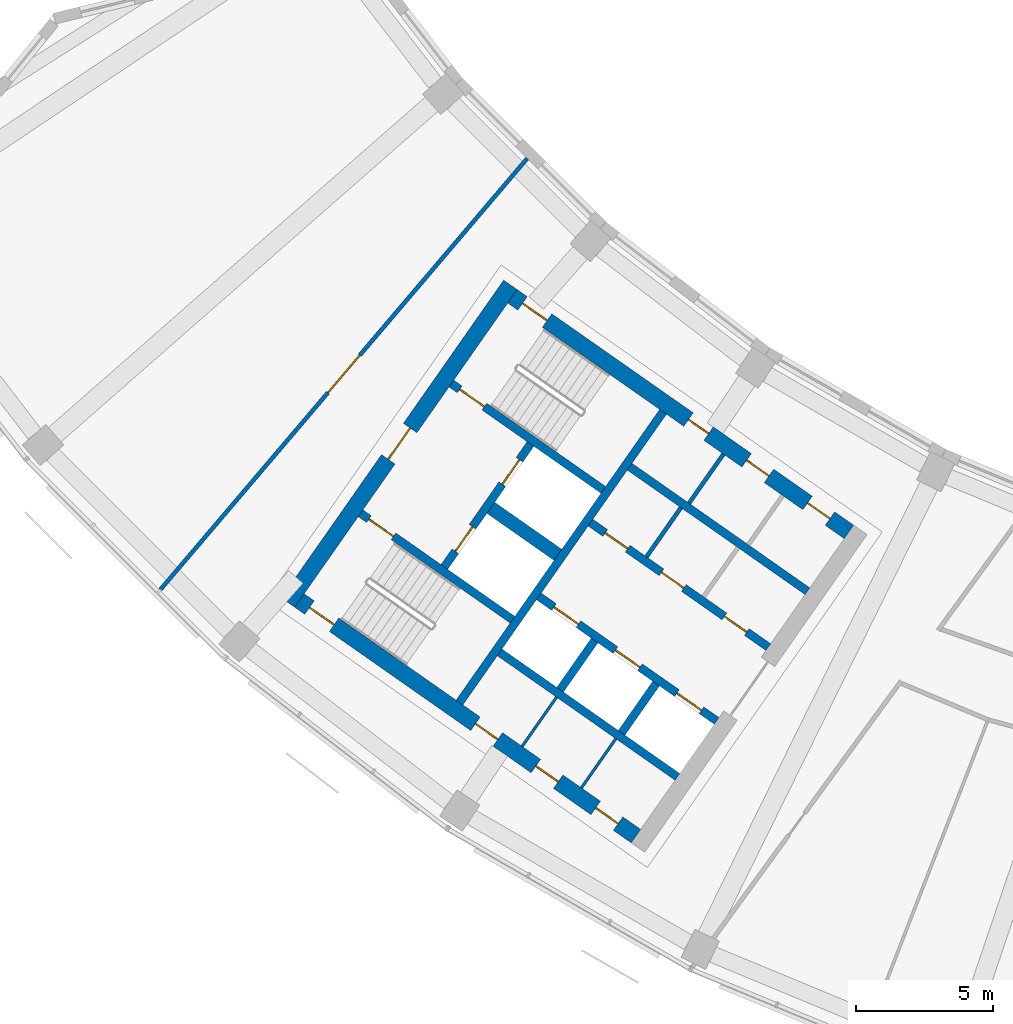
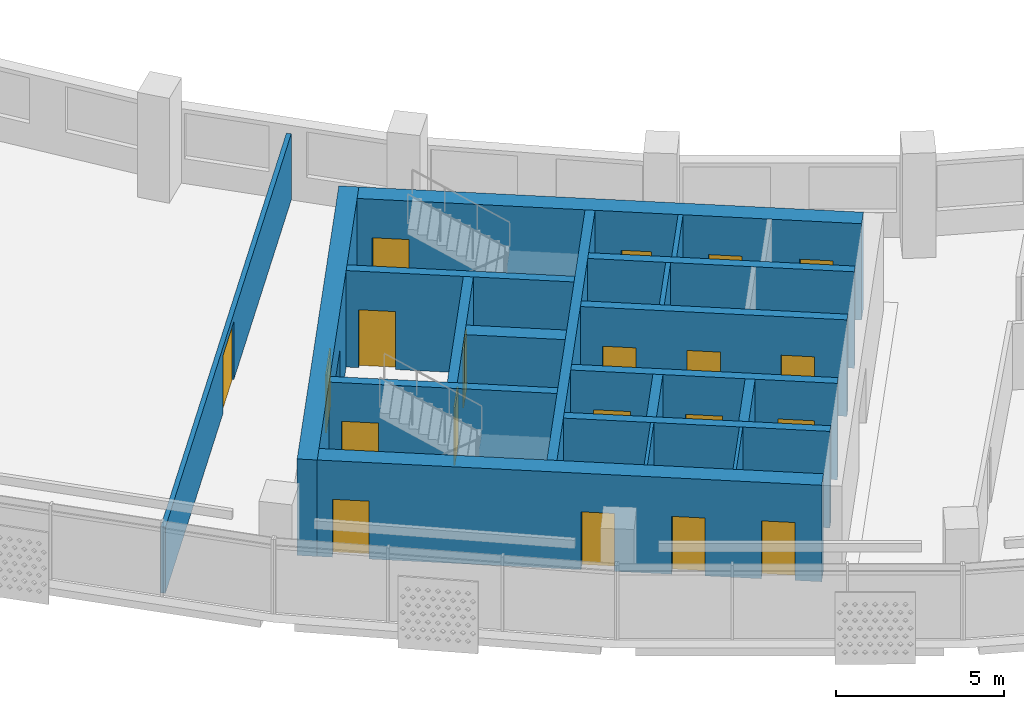
# One storey, part 3 of 29: 20 doors, 19 walls, 20 openings.
"""IFC4 building model written with IfcOpenShell, lengths in metres."""

from ifc_helpers import new_model, si_unit, direction, frame, frame_2d, origin, place, context, subcontext, project, spatial, rectangle, extrude, material, layer, layer_set, type_object, element, fill, save


model = new_model("IFC4")

# Units and contexts
model_context = context("Model", 3, precision=1e-05, world=origin(), true_north=direction((0.0, 1.0)))
body_context = subcontext(model_context, "Body", "Model", "MODEL_VIEW")
ifc_project = project(units=[si_unit("LENGTHUNIT", "METRE"), si_unit("AREAUNIT", "SQUARE_METRE"), si_unit("VOLUMEUNIT", "CUBIC_METRE"), si_unit("PLANEANGLEUNIT", "RADIAN"), si_unit("MASSUNIT", "GRAM", prefix="KILO")], contexts=[model_context])

# Site, building, storey
site_placement = place(None, origin())
site = spatial("IfcSite", under=ifc_project, at=site_placement, CompositionType="ELEMENT")
building_placement = place(site_placement, origin())
building = spatial("IfcBuilding", under=site, at=building_placement, Name="Qamariyya Broadcast Tower", CompositionType="ELEMENT")
storey_placement = place(building_placement, frame((0.0, 0.0, 207.5)))
storey = spatial("IfcBuildingStorey", under=building, at=storey_placement, Name="L49", CompositionType="ELEMENT", Elevation=207.5)

# Wall, opening, door
ifc_material_1 = material(Name="Concrete C60/75", Category="concrete")
ifc_layer_1 = layer(ifc_material_1, 0.60009765625)
ifc_layer_set_1 = layer_set([ifc_layer_1], Name="Core wall 600 mm Concrete C60/75")
wall_type_1 = type_object("IfcWallType", Name="Core wall 600 mm Concrete C60/75", PredefinedType="SHEAR", material=ifc_layer_set_1)
wall_1_placement = place(storey_placement, frame((-49.4833984375, -57.031494140625, 0.0), z_axis=(0.0, 0.0, 1.0), x_axis=(0.573560421458, 0.819163257805, 0.0)))
wall_1 = element("IfcWall", 1, at=wall_1_placement, inside=storey, type_object=wall_type_1, Name="k-W-L49-WH", PredefinedType="SHEAR", context=body_context, shape_type="SweptSolid", body=[
    extrude(rectangle(XDim=14.199951171875, YDim=0.60009765625, at=frame_2d((7.10009765625, 0.0))), origin(), (0.0, 0.0, 1.0), 3.5),
])
opening_1_placement = place(wall_1_placement, frame((6.39990234375, 0.0, 0.0)))
opening_1 = element("IfcOpeningElement", 2, at=opening_1_placement, cuts=wall_1, Name="Opening KD2-W1", PredefinedType="OPENING", context=body_context, shape_type="SweptSolid", body=[
    extrude(rectangle(XDim=1.39990234375, YDim=2.10009765625, at=frame_2d((0.699951171875, 1.050048828125))), frame((0.0, 0.31005859375, 0.0), z_axis=(0.0, -1.0, 0.0), x_axis=(1.0, 0.0, 0.0)), (0.0, 0.0, 1.0), 0.6201171875),
])
ifc_material_2 = material(Name="Steel fire-resisting door leaf", Category="steel")
door_type_1 = type_object("IfcDoorType", Name="Fire-fighting lobby door KD2", OperationType="DOUBLE_DOOR_SINGLE_SWING", PredefinedType="DOOR", material=ifc_material_2)
door_1_placement = place(opening_1_placement, origin())
door_1 = element("IfcDoor", 3, at=door_1_placement, inside=storey, type_object=door_type_1, Name="k-W-L49-WH-D16", OperationType="DOUBLE_DOOR_SINGLE_SWING", OverallHeight=2.10009765625, OverallWidth=1.39990234375, PredefinedType="DOOR", context=body_context, shape_type="SweptSolid", body=[
    extrude(rectangle(XDim=1.39990234375, YDim=2.10009765625, at=frame_2d((0.699951171875, 1.050048828125))), frame((0.0, 0.02490234375, 0.0), z_axis=(0.0, -1.0, 0.0), x_axis=(1.0, 0.0, 0.0)), (0.0, 0.0, 1.0), 0.050048828125),
])
fill(opening_1, door_1)

# Wall, openings, doors
wall_2_placement = place(storey_placement, frame((-28.940673828125, -54.447021484375, 0.0), z_axis=(0.0, 0.0, 1.0), x_axis=(-0.819153391756, 0.573574511963, 0.0)))
wall_2 = element("IfcWall", 4, at=wall_2_placement, inside=storey, type_object=wall_type_1, Name="k-W-L49-WI", PredefinedType="SHEAR", context=body_context, shape_type="SweptSolid", body=[
    extrude(rectangle(XDim=15.04541015625, YDim=0.60009765625, at=frame_2d((7.522705078125, 0.0))), origin(), (0.0, 0.0, 1.0), 3.5),
])
opening_2_placement = place(wall_2_placement, frame((0.85009765625, 0.0, 0.0)))
opening_2 = element("IfcOpeningElement", 5, at=opening_2_placement, cuts=wall_2, Name="Opening KD6-W3", PredefinedType="OPENING", context=body_context, shape_type="SweptSolid", body=[
    extrude(rectangle(XDim=1.0, YDim=2.10009765625, at=frame_2d((0.5, 1.050048828125))), frame((0.0, 0.31005859375, 0.0), z_axis=(0.0, -1.0, 0.0), x_axis=(1.0, 0.0, 0.0)), (0.0, 0.0, 1.0), 0.6201171875),
])
opening_3_placement = place(wall_2_placement, frame((3.574951171875, 0.0, 0.0)))
opening_3 = element("IfcOpeningElement", 6, at=opening_3_placement, cuts=wall_2, Name="Opening KD7-W1", PredefinedType="OPENING", context=body_context, shape_type="SweptSolid", body=[
    extrude(rectangle(XDim=1.0, YDim=2.10009765625, at=frame_2d((0.5, 1.050048828125))), frame((0.0, 0.31005859375, 0.0), z_axis=(0.0, -1.0, 0.0), x_axis=(1.0, 0.0, 0.0)), (0.0, 0.0, 1.0), 0.6201171875),
])
opening_4_placement = place(wall_2_placement, frame((6.27490234375, 0.0, 0.0)))
opening_4 = element("IfcOpeningElement", 7, at=opening_4_placement, cuts=wall_2, Name="Opening KD5-W1", PredefinedType="OPENING", context=body_context, shape_type="SweptSolid", body=[
    extrude(rectangle(XDim=0.89990234375, YDim=2.10009765625, at=frame_2d((0.449951171875, 1.050048828125))), frame((0.0, 0.31005859375, 0.0), z_axis=(0.0, -1.0, 0.0), x_axis=(1.0, 0.0, 0.0)), (0.0, 0.0, 1.0), 0.6201171875),
])
opening_5_placement = place(wall_2_placement, frame((13.495361328125, 0.0, 0.0)))
opening_5 = element("IfcOpeningElement", 8, at=opening_5_placement, cuts=wall_2, Name="Opening KD1-W1", PredefinedType="OPENING", context=body_context, shape_type="SweptSolid", body=[
    extrude(rectangle(XDim=1.10009765625, YDim=2.10009765625, at=frame_2d((0.550048828125, 1.050048828125))), frame((0.0, 0.31005859375, 0.0), z_axis=(0.0, -1.0, 0.0), x_axis=(1.0, 0.0, 0.0)), (0.0, 0.0, 1.0), 0.6201171875),
])
door_type_2 = type_object("IfcDoorType", Name="Accessible toilet door KD7", OperationType="SINGLE_SWING_LEFT", PredefinedType="DOOR", material=ifc_material_2)
door_2_placement = place(opening_3_placement, origin())
door_2 = element("IfcDoor", 9, at=door_2_placement, inside=storey, type_object=door_type_2, Name="k-W-L49-WI-D9", OperationType="SINGLE_SWING_RIGHT", OverallHeight=2.10009765625, OverallWidth=1.0, PredefinedType="DOOR", context=body_context, shape_type="SweptSolid", body=[
    extrude(rectangle(XDim=1.0, YDim=2.10009765625, at=frame_2d((0.5, 1.050048828125))), frame((0.0, 0.02490234375, 0.0), z_axis=(0.0, -1.0, 0.0), x_axis=(1.0, 0.0, 0.0)), (0.0, 0.0, 1.0), 0.050048828125),
])
fill(opening_3, door_2)
door_type_3 = type_object("IfcDoorType", Name="Core room door KD6", OperationType="SINGLE_SWING_LEFT", PredefinedType="DOOR", material=ifc_material_2)
door_3_placement = place(opening_2_placement, origin())
door_3 = element("IfcDoor", 10, at=door_3_placement, inside=storey, type_object=door_type_3, Name="k-W-L49-WI-D8", OperationType="SINGLE_SWING_LEFT", OverallHeight=2.10009765625, OverallWidth=1.0, PredefinedType="DOOR", context=body_context, shape_type="SweptSolid", body=[
    extrude(rectangle(XDim=1.0, YDim=2.10009765625, at=frame_2d((0.5, 1.050048828125))), frame((0.0, 0.02490234375, 0.0), z_axis=(0.0, -1.0, 0.0), x_axis=(1.0, 0.0, 0.0)), (0.0, 0.0, 1.0), 0.050048828125),
])
fill(opening_2, door_3)
door_type_4 = type_object("IfcDoorType", Name="Stair door KD1", OperationType="SINGLE_SWING_LEFT", PredefinedType="DOOR", material=ifc_material_2)
door_4_placement = place(opening_5_placement, origin())
door_4 = element("IfcDoor", 11, at=door_4_placement, inside=storey, type_object=door_type_4, Name="k-W-L49-WI-D17", OperationType="SINGLE_SWING_RIGHT", OverallHeight=2.10009765625, OverallWidth=1.10009765625, PredefinedType="DOOR", context=body_context, shape_type="SweptSolid", body=[
    extrude(rectangle(XDim=1.10009765625, YDim=2.10009765625, at=frame_2d((0.550048828125, 1.050048828125))), frame((0.0, 0.02490234375, 0.0), z_axis=(0.0, -1.0, 0.0), x_axis=(1.0, 0.0, 0.0)), (0.0, 0.0, 1.0), 0.050048828125),
])
fill(opening_5, door_4)
door_type_5 = type_object("IfcDoorType", Name="Toilet door KD5", OperationType="SINGLE_SWING_LEFT", PredefinedType="DOOR", material=ifc_material_2)
door_5_placement = place(opening_4_placement, origin())
door_5 = element("IfcDoor", 12, at=door_5_placement, inside=storey, type_object=door_type_5, Name="k-W-L49-WI-D10", OperationType="SINGLE_SWING_LEFT", OverallHeight=2.10009765625, OverallWidth=0.89990234375, PredefinedType="DOOR", context=body_context, shape_type="SweptSolid", body=[
    extrude(rectangle(XDim=0.89990234375, YDim=2.10009765625, at=frame_2d((0.449951171875, 1.050048828125))), frame((0.0, 0.02490234375, 0.0), z_axis=(0.0, -1.0, 0.0), x_axis=(1.0, 0.0, 0.0)), (0.0, 0.0, 1.0), 0.050048828125),
])
fill(opening_4, door_5)

wall_3_placement = place(storey_placement, frame((-36.7412109375, -65.58740234375, 0.0), z_axis=(0.0, 0.0, 1.0), x_axis=(-0.819153391756, 0.573574511963, 0.0)))
wall_3 = element("IfcWall", 13, at=wall_3_placement, inside=storey, type_object=wall_type_1, Name="k-W-L49-WO", PredefinedType="SHEAR", context=body_context, shape_type="SweptSolid", body=[
    extrude(rectangle(XDim=15.04541015625, YDim=0.60009765625, at=frame_2d((7.522705078125, 0.0))), origin(), (0.0, 0.0, 1.0), 3.5),
])
opening_6_placement = place(wall_3_placement, frame((0.800048828125, 0.0, 0.0)))
opening_6 = element("IfcOpeningElement", 14, at=opening_6_placement, cuts=wall_3, Name="Opening KD4-W2", PredefinedType="OPENING", context=body_context, shape_type="SweptSolid", body=[
    extrude(rectangle(XDim=1.0, YDim=2.10009765625, at=frame_2d((0.5, 1.050048828125))), frame((0.0, 0.31005859375, 0.0), z_axis=(0.0, -1.0, 0.0), x_axis=(1.0, 0.0, 0.0)), (0.0, 0.0, 1.0), 0.6201171875),
])
opening_7_placement = place(wall_3_placement, frame((3.47509765625, 0.0, 0.0)))
opening_7 = element("IfcOpeningElement", 15, at=opening_7_placement, cuts=wall_3, Name="Opening KD4-W3", PredefinedType="OPENING", context=body_context, shape_type="SweptSolid", body=[
    extrude(rectangle(XDim=1.0, YDim=2.10009765625, at=frame_2d((0.5, 1.050048828125))), frame((0.0, 0.31005859375, 0.0), z_axis=(0.0, -1.0, 0.0), x_axis=(1.0, 0.0, 0.0)), (0.0, 0.0, 1.0), 0.6201171875),
])
opening_8_placement = place(wall_3_placement, frame((6.175048828125, 0.0, 0.0)))
opening_8 = element("IfcOpeningElement", 16, at=opening_8_placement, cuts=wall_3, Name="Opening KD4-W4", PredefinedType="OPENING", context=body_context, shape_type="SweptSolid", body=[
    extrude(rectangle(XDim=1.0, YDim=2.10009765625, at=frame_2d((0.5, 1.050048828125))), frame((0.0, 0.31005859375, 0.0), z_axis=(0.0, -1.0, 0.0), x_axis=(1.0, 0.0, 0.0)), (0.0, 0.0, 1.0), 0.6201171875),
])
opening_9_placement = place(wall_3_placement, frame((13.495361328125, 0.0, 0.0)))
opening_9 = element("IfcOpeningElement", 17, at=opening_9_placement, cuts=wall_3, Name="Opening KD1-W3", PredefinedType="OPENING", context=body_context, shape_type="SweptSolid", body=[
    extrude(rectangle(XDim=1.10009765625, YDim=2.10009765625, at=frame_2d((0.550048828125, 1.050048828125))), frame((0.0, 0.31005859375, 0.0), z_axis=(0.0, -1.0, 0.0), x_axis=(1.0, 0.0, 0.0)), (0.0, 0.0, 1.0), 0.6201171875),
])
door_type_6 = type_object("IfcDoorType", Name="Riser and plant door KD4", OperationType="SINGLE_SWING_LEFT", PredefinedType="DOOR", material=ifc_material_2)
door_6_placement = place(opening_6_placement, origin())
door_6 = element("IfcDoor", 18, at=door_6_placement, inside=storey, type_object=door_type_6, Name="k-W-L49-WO-D11", OperationType="SINGLE_SWING_RIGHT", OverallHeight=2.10009765625, OverallWidth=1.0, PredefinedType="DOOR", context=body_context, shape_type="SweptSolid", body=[
    extrude(rectangle(XDim=1.0, YDim=2.10009765625, at=frame_2d((0.5, 1.050048828125))), frame((0.0, 0.02490234375, 0.0), z_axis=(0.0, -1.0, 0.0), x_axis=(1.0, 0.0, 0.0)), (0.0, 0.0, 1.0), 0.050048828125),
])
fill(opening_6, door_6)
door_7_placement = place(opening_7_placement, origin())
door_7 = element("IfcDoor", 19, at=door_7_placement, inside=storey, type_object=door_type_6, Name="k-W-L49-WO-D12", OperationType="SINGLE_SWING_LEFT", OverallHeight=2.10009765625, OverallWidth=1.0, PredefinedType="DOOR", context=body_context, shape_type="SweptSolid", body=[
    extrude(rectangle(XDim=1.0, YDim=2.10009765625, at=frame_2d((0.5, 1.050048828125))), frame((0.0, 0.02490234375, 0.0), z_axis=(0.0, -1.0, 0.0), x_axis=(1.0, 0.0, 0.0)), (0.0, 0.0, 1.0), 0.050048828125),
])
fill(opening_7, door_7)
door_8_placement = place(opening_8_placement, origin())
door_8 = element("IfcDoor", 20, at=door_8_placement, inside=storey, type_object=door_type_6, Name="k-W-L49-WO-D13", OperationType="SINGLE_SWING_RIGHT", OverallHeight=2.10009765625, OverallWidth=1.0, PredefinedType="DOOR", context=body_context, shape_type="SweptSolid", body=[
    extrude(rectangle(XDim=1.0, YDim=2.10009765625, at=frame_2d((0.5, 1.050048828125))), frame((0.0, 0.02490234375, 0.0), z_axis=(0.0, -1.0, 0.0), x_axis=(1.0, 0.0, 0.0)), (0.0, 0.0, 1.0), 0.050048828125),
])
fill(opening_8, door_8)
door_9_placement = place(opening_9_placement, origin())
door_9 = element("IfcDoor", 21, at=door_9_placement, inside=storey, type_object=door_type_4, Name="k-W-L49-WO-D19", OperationType="SINGLE_SWING_LEFT", OverallHeight=2.10009765625, OverallWidth=1.10009765625, PredefinedType="DOOR", context=body_context, shape_type="SweptSolid", body=[
    extrude(rectangle(XDim=1.10009765625, YDim=2.10009765625, at=frame_2d((0.550048828125, 1.050048828125))), frame((0.0, 0.02490234375, 0.0), z_axis=(0.0, -1.0, 0.0), x_axis=(1.0, 0.0, 0.0)), (0.0, 0.0, 1.0), 0.050048828125),
])
fill(opening_9, door_9)

# Wall, opening, door
ifc_material_3 = material(Name="Gypsum board partition")
ifc_layer_2 = layer(ifc_material_3, 0.14990234375)
ifc_layer_set_2 = layer_set([ifc_layer_2], Name="Corridor partition 150 EI 60")
wall_type_2 = type_object("IfcWallType", Name="Corridor partition 150 EI 60", PredefinedType="PARTITIONING", material=ifc_layer_set_2)
wall_4_placement = place(storey_placement, frame((-54.15283203125, -56.554931640625, 0.0), z_axis=(0.0, 0.0, 1.0), x_axis=(0.647962636986, 0.761672121762, 0.0)))
wall_4 = element("IfcWall", 22, at=wall_4_placement, inside=storey, type_object=wall_type_2, Name="Partition L49-001", PredefinedType="PARTITIONING", context=body_context, shape_type="SweptSolid", body=[
    extrude(rectangle(XDim=20.723388671875, YDim=0.14990234375, at=frame_2d((10.36181640625, 0.0))), origin(), (0.0, 0.0, 1.0), 2.39990234375),
])
opening_10_placement = place(wall_4_placement, frame((9.461669921875, 0.0, 0.0)))
opening_10 = element("IfcOpeningElement", 23, at=opening_10_placement, cuts=wall_4, Name="Opening L49-D14", PredefinedType="OPENING", context=body_context, shape_type="SweptSolid", body=[
    extrude(rectangle(XDim=1.800048828125, YDim=2.10009765625, at=frame_2d((0.89990234375, 1.050048828125))), frame((0.0, 0.0849609375, 0.0), z_axis=(0.0, -1.0, 0.0), x_axis=(1.0, 0.0, 0.0)), (0.0, 0.0, 1.0), 0.169921875),
])
ifc_material_4 = material(Name="Timber fire door leaf", Category="wood")
door_type_7 = type_object("IfcDoorType", Name="Double fire door 1800 x 2100 FD60", OperationType="NOTDEFINED", PredefinedType="DOOR", material=ifc_material_4)
door_10_placement = place(opening_10_placement, origin())
door_10 = element("IfcDoor", 24, at=door_10_placement, inside=storey, type_object=door_type_7, Name="Door L49-D14", OperationType="DOUBLE_DOOR_SINGLE_SWING", OverallHeight=2.10009765625, OverallWidth=1.800048828125, PredefinedType="DOOR", context=body_context, shape_type="SweptSolid", body=[
    extrude(rectangle(XDim=1.800048828125, YDim=2.10009765625, at=frame_2d((0.89990234375, 1.050048828125))), frame((0.0, 0.02490234375, 0.0), z_axis=(0.0, -1.0, 0.0), x_axis=(1.0, 0.0, 0.0)), (0.0, 0.0, 1.0), 0.050048828125),
])
fill(opening_10, door_10)

# Walls
ifc_layer_3 = layer(ifc_material_1, 0.5)
ifc_layer_set_3 = layer_set([ifc_layer_3], Name="Fire-fighting lobby divider wall 500 mm Concrete C60/75")
wall_type_3 = type_object("IfcWallType", Name="Fire-fighting lobby divider wall 500 mm Concrete C60/75", PredefinedType="SOLIDWALL", material=ifc_layer_set_3)
wall_5_placement = place(storey_placement, frame((-39.59912109375, -55.28515625, 0.0), z_axis=(0.0, 0.0, 1.0), x_axis=(-0.819136323161, 0.573598887793, 0.0)))
element("IfcWall", 25, at=wall_5_placement, inside=storey, type_object=wall_type_3, Name="k-W-L49-FD", PredefinedType="SOLIDWALL", context=body_context, shape_type="SweptSolid", body=[
    extrude(rectangle(XDim=2.999755859375, YDim=0.5, at=frame_2d((1.5, 0.0))), origin(), (0.0, 0.0, 1.0), 3.5),
])
ifc_material_5 = material(Name="Gypsum board partition on steel studs", Category="steel")
ifc_layer_4 = layer(ifc_material_5, 0.14990234375)
ifc_layer_set_4 = layer_set([ifc_layer_4], Name="Gypsum board partition 150 mm")
wall_type_4 = type_object("IfcWallType", Name="Gypsum board partition 150 mm", PredefinedType="PARTITIONING", material=ifc_layer_set_4)
wall_6_placement = place(storey_placement, frame((-36.35498046875, -55.359375, 0.0), z_axis=(0.0, 0.0, 1.0), x_axis=(0.573581496053, 0.819148501424, 0.0)))
element("IfcWall", 26, at=wall_6_placement, inside=storey, type_object=wall_type_4, Name="k-W-L49-NC555", PredefinedType="PARTITIONING", context=body_context, shape_type="SweptSolid", body=[
    extrude(rectangle(XDim=2.2001953125, YDim=0.14990234375, at=frame_2d((1.10009765625, 0.0))), origin(), (0.0, 0.0, 1.0), 3.5),
])
wall_7_placement = place(storey_placement, frame((-34.798095703125, -53.3974609375, 0.0), z_axis=(0.0, 0.0, 1.0), x_axis=(0.573633636671, 0.819111989218, 0.0)))
element("IfcWall", 27, at=wall_7_placement, inside=storey, type_object=wall_type_4, Name="k-W-L49-NP540", PredefinedType="PARTITIONING", context=body_context, shape_type="SweptSolid", body=[
    extrude(rectangle(XDim=2.199951171875, YDim=0.14990234375, at=frame_2d((1.10009765625, 0.0))), origin(), (0.0, 0.0, 1.0), 3.5),
])
ifc_layer_5 = layer(ifc_material_1, 0.300048828125)
ifc_layer_set_5 = layer_set([ifc_layer_5], Name="Lift shaft wall 300 mm Concrete C60/75")
wall_type_5 = type_object("IfcWallType", Name="Lift shaft wall 300 mm Concrete C60/75", PredefinedType="SOLIDWALL", material=ifc_layer_set_5)
wall_8_placement = place(storey_placement, frame((-43.204345703125, -60.69580078125, 0.0), z_axis=(0.0, 0.0, 1.0), x_axis=(0.573571992966, 0.819155155563, 0.0)))
element("IfcWall", 28, at=wall_8_placement, inside=storey, type_object=wall_type_5, Name="k-W-L49-WL", PredefinedType="SOLIDWALL", context=body_context, shape_type="SweptSolid", body=[
    extrude(rectangle(XDim=13.000244140625, YDim=0.300048828125, at=frame_2d((6.5, 0.0))), origin(), (0.0, 0.0, 1.0), 3.5),
])

# Wall, openings, doors
wall_9_placement = place(storey_placement, frame((-31.89453125, -58.66552734375, 0.0), z_axis=(0.0, 0.0, 1.0), x_axis=(-0.819166993208, 0.573555086491, 0.0)))
wall_9 = element("IfcWall", 29, at=wall_9_placement, inside=storey, type_object=wall_type_5, Name="k-W-L49-NF0", PredefinedType="SOLIDWALL", context=body_context, shape_type="SweptSolid", body=[
    extrude(rectangle(XDim=7.9501953125, YDim=0.300048828125, at=frame_2d((3.97509765625, 0.0))), origin(), (0.0, 0.0, 1.0), 3.5),
])
opening_11_placement = place(wall_9_placement, frame((0.96240234375, 0.0, 0.0)))
opening_11 = element("IfcOpeningElement", 30, at=opening_11_placement, cuts=wall_9, Name="Opening KD4-W1", PredefinedType="OPENING", context=body_context, shape_type="SweptSolid", body=[
    extrude(rectangle(XDim=1.0, YDim=2.10009765625, at=frame_2d((0.5, 1.050048828125))), frame((0.0, 0.159912109375, 0.0), z_axis=(0.0, -1.0, 0.0), x_axis=(1.0, 0.0, 0.0)), (0.0, 0.0, 1.0), 0.320068359375),
])
opening_12_placement = place(wall_9_placement, frame((3.77490234375, 0.0, 0.0)))
opening_12 = element("IfcOpeningElement", 31, at=opening_12_placement, cuts=wall_9, Name="Opening KD6-W1", PredefinedType="OPENING", context=body_context, shape_type="SweptSolid", body=[
    extrude(rectangle(XDim=1.0, YDim=2.10009765625, at=frame_2d((0.5, 1.050048828125))), frame((0.0, 0.159912109375, 0.0), z_axis=(0.0, -1.0, 0.0), x_axis=(1.0, 0.0, 0.0)), (0.0, 0.0, 1.0), 0.320068359375),
])
opening_13_placement = place(wall_9_placement, frame((6.28759765625, 0.0, 0.0)))
opening_13 = element("IfcOpeningElement", 32, at=opening_13_placement, cuts=wall_9, Name="Opening KD6-W2", PredefinedType="OPENING", context=body_context, shape_type="SweptSolid", body=[
    extrude(rectangle(XDim=1.0, YDim=2.10009765625, at=frame_2d((0.5, 1.050048828125))), frame((0.0, 0.159912109375, 0.0), z_axis=(0.0, -1.0, 0.0), x_axis=(1.0, 0.0, 0.0)), (0.0, 0.0, 1.0), 0.320068359375),
])
door_11_placement = place(opening_12_placement, origin())
door_11 = element("IfcDoor", 33, at=door_11_placement, inside=storey, type_object=door_type_3, Name="k-W-L49-NF0-D3", OperationType="SINGLE_SWING_RIGHT", OverallHeight=2.10009765625, OverallWidth=1.0, PredefinedType="DOOR", context=body_context, shape_type="SweptSolid", body=[
    extrude(rectangle(XDim=1.0, YDim=2.10009765625, at=frame_2d((0.5, 1.050048828125))), frame((0.0, 0.02490234375, 0.0), z_axis=(0.0, -1.0, 0.0), x_axis=(1.0, 0.0, 0.0)), (0.0, 0.0, 1.0), 0.050048828125),
])
fill(opening_12, door_11)
door_12_placement = place(opening_13_placement, origin())
door_12 = element("IfcDoor", 34, at=door_12_placement, inside=storey, type_object=door_type_3, Name="k-W-L49-NF0-D4", OperationType="SINGLE_SWING_LEFT", OverallHeight=2.10009765625, OverallWidth=1.0, PredefinedType="DOOR", context=body_context, shape_type="SweptSolid", body=[
    extrude(rectangle(XDim=1.0, YDim=2.10009765625, at=frame_2d((0.5, 1.050048828125))), frame((0.0, 0.02490234375, 0.0), z_axis=(0.0, -1.0, 0.0), x_axis=(1.0, 0.0, 0.0)), (0.0, 0.0, 1.0), 0.050048828125),
])
fill(opening_13, door_12)
door_13_placement = place(opening_11_placement, origin())
door_13 = element("IfcDoor", 35, at=door_13_placement, inside=storey, type_object=door_type_6, Name="k-W-L49-NF0-D2", OperationType="SINGLE_SWING_LEFT", OverallHeight=2.10009765625, OverallWidth=1.0, PredefinedType="DOOR", context=body_context, shape_type="SweptSolid", body=[
    extrude(rectangle(XDim=1.0, YDim=2.10009765625, at=frame_2d((0.5, 1.050048828125))), frame((0.0, 0.02490234375, 0.0), z_axis=(0.0, -1.0, 0.0), x_axis=(1.0, 0.0, 0.0)), (0.0, 0.0, 1.0), 0.050048828125),
])
fill(opening_11, door_13)

# Wall
wall_10_placement = place(storey_placement, frame((-30.460693359375, -56.61767578125, 0.0), z_axis=(0.0, 0.0, 1.0), x_axis=(-0.819142461705, 0.573590121456, 0.0)))
element("IfcWall", 36, at=wall_10_placement, inside=storey, type_object=wall_type_5, Name="k-W-L49-NB0", PredefinedType="SOLIDWALL", context=body_context, shape_type="SweptSolid", body=[
    extrude(rectangle(XDim=7.949951171875, YDim=0.300048828125, at=frame_2d((3.97509765625, 0.0))), origin(), (0.0, 0.0, 1.0), 3.5),
])

# Wall, openings, doors
wall_11_placement = place(storey_placement, frame((-33.787353515625, -61.368896484375, 0.0), z_axis=(0.0, 0.0, 1.0), x_axis=(-0.819152564888, 0.573575692858, 0.0)))
wall_11 = element("IfcWall", 37, at=wall_11_placement, inside=storey, type_object=wall_type_5, Name="k-W-L49-SF0", PredefinedType="SOLIDWALL", context=body_context, shape_type="SweptSolid", body=[
    extrude(rectangle(XDim=7.9501953125, YDim=0.300048828125, at=frame_2d((3.97509765625, 0.0))), origin(), (0.0, 0.0, 1.0), 3.5),
])
opening_14_placement = place(wall_11_placement, frame((0.675048828125, 0.0, 0.0)))
opening_14 = element("IfcOpeningElement", 38, at=opening_14_placement, cuts=wall_11, Name="Opening LD", PredefinedType="OPENING", context=body_context, shape_type="SweptSolid", body=[
    extrude(rectangle(XDim=1.10009765625, YDim=2.10009765625, at=frame_2d((0.550048828125, 1.050048828125))), frame((0.0, 0.159912109375, 0.0), z_axis=(0.0, -1.0, 0.0), x_axis=(1.0, 0.0, 0.0)), (0.0, 0.0, 1.0), 0.320068359375),
])
opening_15_placement = place(wall_11_placement, frame((3.425048828125, 0.0, 0.0)))
opening_15 = element("IfcOpeningElement", 39, at=opening_15_placement, cuts=wall_11, Name="Opening LD", PredefinedType="OPENING", context=body_context, shape_type="SweptSolid", body=[
    extrude(rectangle(XDim=1.10009765625, YDim=2.10009765625, at=frame_2d((0.550048828125, 1.050048828125))), frame((0.0, 0.159912109375, 0.0), z_axis=(0.0, -1.0, 0.0), x_axis=(1.0, 0.0, 0.0)), (0.0, 0.0, 1.0), 0.320068359375),
])
opening_16_placement = place(wall_11_placement, frame((6.175048828125, 0.0, 0.0)))
opening_16 = element("IfcOpeningElement", 40, at=opening_16_placement, cuts=wall_11, Name="Opening LD", PredefinedType="OPENING", context=body_context, shape_type="SweptSolid", body=[
    extrude(rectangle(XDim=1.10009765625, YDim=2.10009765625, at=frame_2d((0.550048828125, 1.050048828125))), frame((0.0, 0.159912109375, 0.0), z_axis=(0.0, -1.0, 0.0), x_axis=(1.0, 0.0, 0.0)), (0.0, 0.0, 1.0), 0.320068359375),
])
door_type_8 = type_object("IfcDoorType", Name="Lift landing door LD", OperationType="DOUBLE_DOOR_SLIDING", PredefinedType="DOOR", material=ifc_material_2)
door_14_placement = place(opening_14_placement, origin())
door_14 = element("IfcDoor", 41, at=door_14_placement, inside=storey, type_object=door_type_8, Name="k-W-L49-SF0-D5", OperationType="DOUBLE_DOOR_SLIDING", OverallHeight=2.10009765625, OverallWidth=1.10009765625, PredefinedType="DOOR", context=body_context, shape_type="SweptSolid", body=[
    extrude(rectangle(XDim=1.10009765625, YDim=2.10009765625, at=frame_2d((0.550048828125, 1.050048828125))), frame((0.0, 0.02490234375, 0.0), z_axis=(0.0, -1.0, 0.0), x_axis=(1.0, 0.0, 0.0)), (0.0, 0.0, 1.0), 0.050048828125),
])
fill(opening_14, door_14)
door_15_placement = place(opening_15_placement, origin())
door_15 = element("IfcDoor", 42, at=door_15_placement, inside=storey, type_object=door_type_8, Name="k-W-L49-SF0-D6", OperationType="DOUBLE_DOOR_SLIDING", OverallHeight=2.10009765625, OverallWidth=1.10009765625, PredefinedType="DOOR", context=body_context, shape_type="SweptSolid", body=[
    extrude(rectangle(XDim=1.10009765625, YDim=2.10009765625, at=frame_2d((0.550048828125, 1.050048828125))), frame((0.0, 0.02490234375, 0.0), z_axis=(0.0, -1.0, 0.0), x_axis=(1.0, 0.0, 0.0)), (0.0, 0.0, 1.0), 0.050048828125),
])
fill(opening_15, door_15)
door_16_placement = place(opening_16_placement, origin())
door_16 = element("IfcDoor", 43, at=door_16_placement, inside=storey, type_object=door_type_8, Name="k-W-L49-SF0-D7", OperationType="DOUBLE_DOOR_SLIDING", OverallHeight=2.10009765625, OverallWidth=1.10009765625, PredefinedType="DOOR", context=body_context, shape_type="SweptSolid", body=[
    extrude(rectangle(XDim=1.10009765625, YDim=2.10009765625, at=frame_2d((0.550048828125, 1.050048828125))), frame((0.0, 0.02490234375, 0.0), z_axis=(0.0, -1.0, 0.0), x_axis=(1.0, 0.0, 0.0)), (0.0, 0.0, 1.0), 0.050048828125),
])
fill(opening_16, door_16)

# Walls
wall_12_placement = place(storey_placement, frame((-35.22119140625, -63.41650390625, 0.0), z_axis=(0.0, 0.0, 1.0), x_axis=(-0.819166993208, 0.573555086491, 0.0)))
element("IfcWall", 44, at=wall_12_placement, inside=storey, type_object=wall_type_5, Name="k-W-L49-SB0", PredefinedType="SOLIDWALL", context=body_context, shape_type="SweptSolid", body=[
    extrude(rectangle(XDim=7.9501953125, YDim=0.300048828125, at=frame_2d((3.97509765625, 0.0))), origin(), (0.0, 0.0, 1.0), 3.5),
])
wall_13_placement = place(storey_placement, frame((-36.003173828125, -60.000244140625, 0.0), z_axis=(0.0, 0.0, 1.0), x_axis=(-0.573581496053, -0.819148501424, 0.0)))
element("IfcWall", 45, at=wall_13_placement, inside=storey, type_object=wall_type_5, Name="k-W-L49-SD0", PredefinedType="SOLIDWALL", context=body_context, shape_type="SweptSolid", body=[
    extrude(rectangle(XDim=2.2001953125, YDim=0.300048828125, at=frame_2d((1.10009765625, 0.0))), origin(), (0.0, 0.0, 1.0), 3.5),
])
wall_14_placement = place(storey_placement, frame((-38.255859375, -58.423095703125, 0.0), z_axis=(0.0, 0.0, 1.0), x_axis=(-0.573633636671, -0.819111989218, 0.0)))
element("IfcWall", 46, at=wall_14_placement, inside=storey, type_object=wall_type_5, Name="k-W-L49-SD1", PredefinedType="SOLIDWALL", context=body_context, shape_type="SweptSolid", body=[
    extrude(rectangle(XDim=2.199951171875, YDim=0.300048828125, at=frame_2d((1.10009765625, 0.0))), origin(), (0.0, 0.0, 1.0), 3.5),
])

# Wall, opening, door
wall_15_placement = place(storey_placement, frame((-37.935546875, -52.90966796875, 0.0), z_axis=(0.0, 0.0, 1.0), x_axis=(-0.819147518138, 0.57358290031, 0.0)))
wall_15 = element("IfcWall", 47, at=wall_15_placement, inside=storey, type_object=wall_type_5, Name="k-W-L49-NW", PredefinedType="SOLIDWALL", context=body_context, shape_type="SweptSolid", body=[
    extrude(rectangle(XDim=6.79541015625, YDim=0.300048828125, at=frame_2d((3.397705078125, 0.0))), origin(), (0.0, 0.0, 1.0), 3.5),
])
opening_17_placement = place(wall_15_placement, frame((5.3203125, 0.0, 0.0)))
opening_17 = element("IfcOpeningElement", 48, at=opening_17_placement, cuts=wall_15, Name="Opening KD1-W2", PredefinedType="OPENING", context=body_context, shape_type="SweptSolid", body=[
    extrude(rectangle(XDim=1.10009765625, YDim=2.10009765625, at=frame_2d((0.550048828125, 1.050048828125))), frame((0.0, 0.159912109375, 0.0), z_axis=(0.0, -1.0, 0.0), x_axis=(1.0, 0.0, 0.0)), (0.0, 0.0, 1.0), 0.320068359375),
])
door_17_placement = place(opening_17_placement, origin())
door_17 = element("IfcDoor", 49, at=door_17_placement, inside=storey, type_object=door_type_4, Name="k-W-L49-NW-D18", OperationType="SINGLE_SWING_LEFT", OverallHeight=2.10009765625, OverallWidth=1.10009765625, PredefinedType="DOOR", context=body_context, shape_type="SweptSolid", body=[
    extrude(rectangle(XDim=1.10009765625, YDim=2.10009765625, at=frame_2d((0.550048828125, 1.050048828125))), frame((0.0, 0.02490234375, 0.0), z_axis=(0.0, -1.0, 0.0), x_axis=(1.0, 0.0, 0.0)), (0.0, 0.0, 1.0), 0.050048828125),
])
fill(opening_17, door_17)

wall_16_placement = place(storey_placement, frame((-41.262451171875, -57.66064453125, 0.0), z_axis=(0.0, 0.0, 1.0), x_axis=(-0.819164398642, 0.573558792102, 0.0)))
wall_16 = element("IfcWall", 50, at=wall_16_placement, inside=storey, type_object=wall_type_5, Name="k-W-L49-SW", PredefinedType="SOLIDWALL", context=body_context, shape_type="SweptSolid", body=[
    extrude(rectangle(XDim=6.795166015625, YDim=0.300048828125, at=frame_2d((3.3974609375, 0.0))), origin(), (0.0, 0.0, 1.0), 3.5),
])
opening_18_placement = place(wall_16_placement, frame((5.3203125, 0.0, 0.0)))
opening_18 = element("IfcOpeningElement", 51, at=opening_18_placement, cuts=wall_16, Name="Opening KD1-W4", PredefinedType="OPENING", context=body_context, shape_type="SweptSolid", body=[
    extrude(rectangle(XDim=1.10009765625, YDim=2.10009765625, at=frame_2d((0.550048828125, 1.050048828125))), frame((0.0, 0.159912109375, 0.0), z_axis=(0.0, -1.0, 0.0), x_axis=(1.0, 0.0, 0.0)), (0.0, 0.0, 1.0), 0.320068359375),
])
door_18_placement = place(opening_18_placement, origin())
door_18 = element("IfcDoor", 52, at=door_18_placement, inside=storey, type_object=door_type_4, Name="k-W-L49-SW-D20", OperationType="SINGLE_SWING_LEFT", OverallHeight=2.10009765625, OverallWidth=1.10009765625, PredefinedType="DOOR", context=body_context, shape_type="SweptSolid", body=[
    extrude(rectangle(XDim=1.10009765625, YDim=2.10009765625, at=frame_2d((0.550048828125, 1.050048828125))), frame((0.0, 0.02490234375, 0.0), z_axis=(0.0, -1.0, 0.0), x_axis=(1.0, 0.0, 0.0)), (0.0, 0.0, 1.0), 0.050048828125),
])
fill(opening_18, door_18)

# Wall, openings, doors
wall_17_placement = place(storey_placement, frame((-43.756591796875, -55.731201171875, 0.0), z_axis=(0.0, 0.0, 1.0), x_axis=(0.573536818435, 0.819179783625, 0.0)))
wall_17 = element("IfcWall", 53, at=wall_17_placement, inside=storey, type_object=wall_type_5, Name="k-W-L49-FF", PredefinedType="SOLIDWALL", context=body_context, shape_type="SweptSolid", body=[
    extrude(rectangle(XDim=5.500244140625, YDim=0.300048828125, at=frame_2d((2.75, 0.0))), origin(), (0.0, 0.0, 1.0), 3.5),
])
opening_19_placement = place(wall_17_placement, frame((0.699951171875, 0.0, 0.0)))
opening_19 = element("IfcOpeningElement", 54, at=opening_19_placement, cuts=wall_17, Name="Opening LD", PredefinedType="OPENING", context=body_context, shape_type="SweptSolid", body=[
    extrude(rectangle(XDim=1.10009765625, YDim=2.10009765625, at=frame_2d((0.550048828125, 1.050048828125))), frame((0.0, 0.159912109375, 0.0), z_axis=(0.0, -1.0, 0.0), x_axis=(1.0, 0.0, 0.0)), (0.0, 0.0, 1.0), 0.320068359375),
])
opening_20_placement = place(wall_17_placement, frame((3.699951171875, 0.0, 0.0)))
opening_20 = element("IfcOpeningElement", 55, at=opening_20_placement, cuts=wall_17, Name="Opening LD", PredefinedType="OPENING", context=body_context, shape_type="SweptSolid", body=[
    extrude(rectangle(XDim=1.10009765625, YDim=2.10009765625, at=frame_2d((0.550048828125, 1.050048828125))), frame((0.0, 0.159912109375, 0.0), z_axis=(0.0, -1.0, 0.0), x_axis=(1.0, 0.0, 0.0)), (0.0, 0.0, 1.0), 0.320068359375),
])
door_19_placement = place(opening_19_placement, origin())
door_19 = element("IfcDoor", 56, at=door_19_placement, inside=storey, type_object=door_type_8, Name="k-W-L49-FF-D14", OperationType="DOUBLE_DOOR_SLIDING", OverallHeight=2.10009765625, OverallWidth=1.10009765625, PredefinedType="DOOR", context=body_context, shape_type="SweptSolid", body=[
    extrude(rectangle(XDim=1.10009765625, YDim=2.10009765625, at=frame_2d((0.550048828125, 1.050048828125))), frame((0.0, 0.02490234375, 0.0), z_axis=(0.0, -1.0, 0.0), x_axis=(1.0, 0.0, 0.0)), (0.0, 0.0, 1.0), 0.050048828125),
])
fill(opening_19, door_19)
door_20_placement = place(opening_20_placement, origin())
door_20 = element("IfcDoor", 57, at=door_20_placement, inside=storey, type_object=door_type_8, Name="k-W-L49-FF-D15", OperationType="DOUBLE_DOOR_SLIDING", OverallHeight=2.10009765625, OverallWidth=1.10009765625, PredefinedType="DOOR", context=body_context, shape_type="SweptSolid", body=[
    extrude(rectangle(XDim=1.10009765625, YDim=2.10009765625, at=frame_2d((0.550048828125, 1.050048828125))), frame((0.0, 0.02490234375, 0.0), z_axis=(0.0, -1.0, 0.0), x_axis=(1.0, 0.0, 0.0)), (0.0, 0.0, 1.0), 0.050048828125),
])
fill(opening_20, door_20)

# Walls
ifc_material_6 = material(Name="Fire-rated gypsum shaft liner on steel studs", Category="steel")
ifc_layer_6 = layer(ifc_material_6, 0.10009765625)
ifc_layer_set_6 = layer_set([ifc_layer_6], Name="Riser wall 100 mm")
wall_type_6 = type_object("IfcWallType", Name="Riser wall 100 mm", PredefinedType="PLUMBINGWALL", material=ifc_layer_set_6)
wall_18_placement = place(storey_placement, frame((-37.47802734375, -62.01953125, 0.0), z_axis=(0.0, 0.0, 1.0), x_axis=(-0.573581496053, -0.819148501424, 0.0)))
element("IfcWall", 58, at=wall_18_placement, inside=storey, type_object=wall_type_6, Name="k-W-L49-SP265", PredefinedType="PLUMBINGWALL", context=body_context, shape_type="SweptSolid", body=[
    extrude(rectangle(XDim=2.2001953125, YDim=0.10009765625, at=frame_2d((1.10009765625, 0.0))), origin(), (0.0, 0.0, 1.0), 3.5),
])
wall_19_placement = place(storey_placement, frame((-39.64892578125, -60.49951171875, 0.0), z_axis=(0.0, 0.0, 1.0), x_axis=(-0.573507030513, -0.819200638399, 0.0)))
element("IfcWall", 59, at=wall_19_placement, inside=storey, type_object=wall_type_6, Name="k-W-L49-SP530", PredefinedType="PLUMBINGWALL", context=body_context, shape_type="SweptSolid", body=[
    extrude(rectangle(XDim=2.199951171875, YDim=0.10009765625, at=frame_2d((1.10009765625, 0.0))), origin(), (0.0, 0.0, 1.0), 3.5),
])

save(model, "model.ifc")
